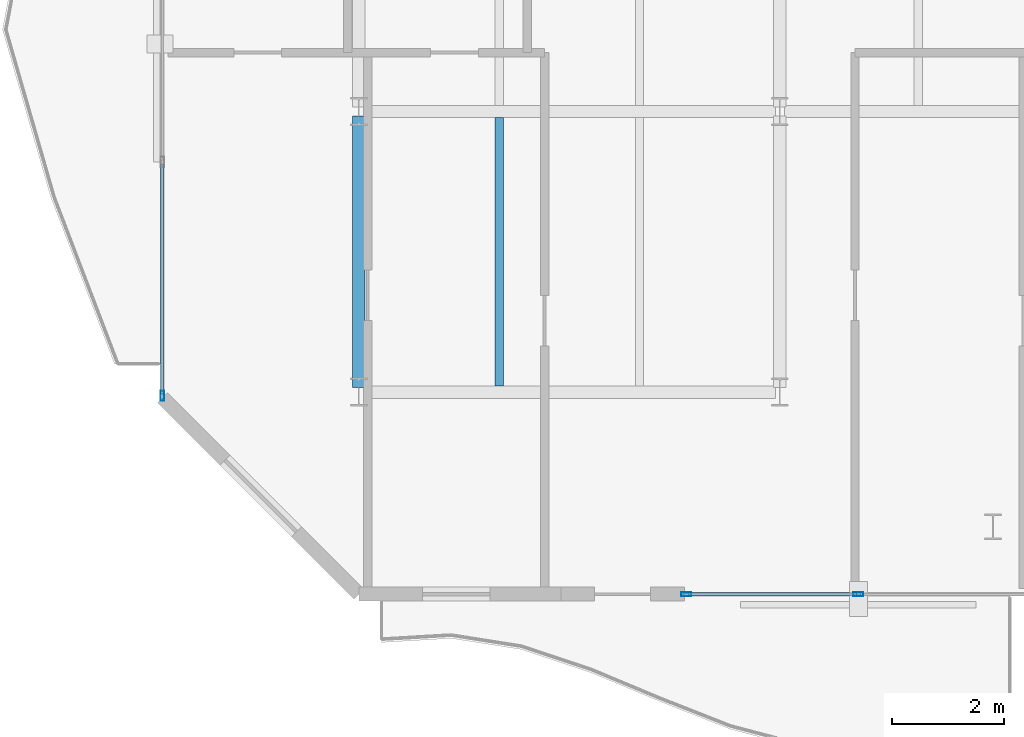
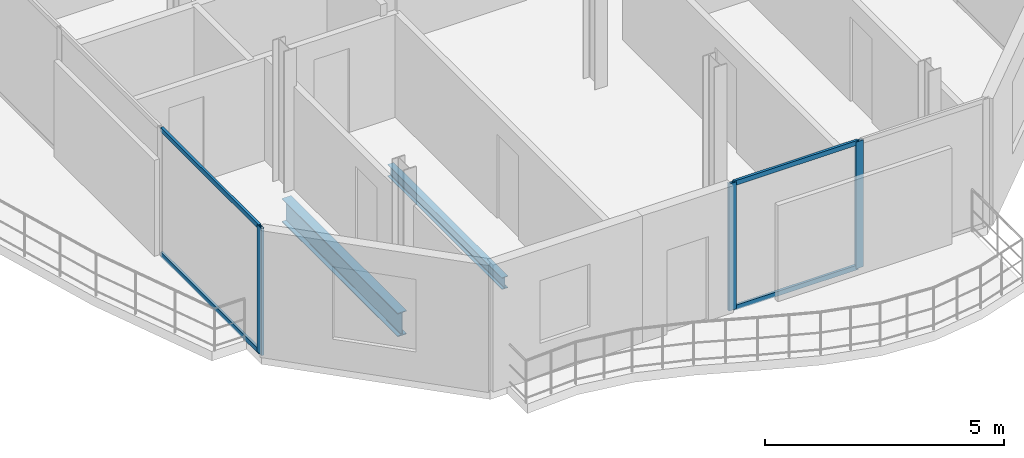
# One storey, part 3 of 23: 7 members, 2 beams, 2 elements without a shape of their own.
"""IFC4 building model written with IfcOpenShell, lengths in metres."""

from ifc_helpers import new_model, si_unit, direction, frame, origin, origin_2d, place, context, subcontext, project, spatial, hollow_rectangle, i_section, extrude, material, layer, layer_set, material_profile, profile_set, type_object, element, aggregate, save


model = new_model("IFC4")

# Units and contexts
model_context = context("Model", 3, precision=1e-05, world=origin(), true_north=direction((0.0, 1.0)))
body_context = subcontext(model_context, "Body", "Model", "MODEL_VIEW")
ifc_project = project(units=[si_unit("LENGTHUNIT", "METRE"), si_unit("AREAUNIT", "SQUARE_METRE"), si_unit("VOLUMEUNIT", "CUBIC_METRE"), si_unit("PLANEANGLEUNIT", "RADIAN"), si_unit("MASSUNIT", "GRAM", prefix="KILO")], contexts=[model_context])

# Site, building, storey
site_placement = place(None, origin())
site = spatial("IfcSite", under=ifc_project, at=site_placement, CompositionType="ELEMENT")
building_placement = place(site_placement, origin())
building = spatial("IfcBuilding", under=site, at=building_placement, Name="Catumbela Crestline Tower", CompositionType="ELEMENT")
storey_placement = place(building_placement, frame((0.0, 0.0, 204.6)))
storey = spatial("IfcBuildingStorey", under=building, at=storey_placement, Name="L53", CompositionType="ELEMENT", Elevation=204.6)

# Beams
ifc_material_1 = material(Name="Structural steel S355J2", Category="steel")
ifc_material_profile_1 = material_profile(ifc_material_1, i_section(OverallWidth=0.22, OverallDepth=0.6, WebThickness=0.012, FlangeThickness=0.019, FilletRadius=0.024, at=origin_2d()), Name="IPE 600")
ifc_profile_set_1 = profile_set([ifc_material_profile_1], Name="Structural steel S355J2")
beam_type_1 = type_object("IfcBeamType", Name="BG-IPE600", PredefinedType="BEAM", material=ifc_profile_set_1)
beam_1_placement = place(storey_placement, frame((8.5, 8.68, -0.56), z_axis=(0.0, 1.0, 0.0), x_axis=(-1.0, 0.0, 0.0)))
element("IfcBeam", 1, at=beam_1_placement, inside=storey, type_object=beam_type_1, Name="L53 Beam BM-L53-WNS37", PredefinedType="BEAM", context=body_context, shape_type="SweptSolid", body=[
    extrude(i_section(OverallWidth=0.22, OverallDepth=0.6, WebThickness=0.012, FlangeThickness=0.019, FilletRadius=0.024, at=origin_2d()), origin(), (0.0, 0.0, 1.0), 4.84),
])
ifc_material_profile_2 = material_profile(ifc_material_1, i_section(OverallWidth=0.15, OverallDepth=0.3, WebThickness=0.0071, FlangeThickness=0.0107, FilletRadius=0.015, at=origin_2d()), Name="IPE 300")
ifc_profile_set_2 = profile_set([ifc_material_profile_2], Name="Structural steel S355J2")
beam_type_2 = type_object("IfcBeamType", Name="BJ-IPE300", PredefinedType="JOIST", material=ifc_profile_set_2)
beam_2_placement = place(storey_placement, frame((11.0, 8.71, -0.41), z_axis=(0.0, 1.0, 0.0), x_axis=(-1.0, 0.0, 0.0)))
element("IfcBeam", 2, at=beam_2_placement, inside=storey, type_object=beam_type_2, Name="L53 Joist JS-L53-WG44", PredefinedType="JOIST", context=body_context, shape_type="SweptSolid", body=[
    extrude(i_section(OverallWidth=0.15, OverallDepth=0.3, WebThickness=0.0071, FlangeThickness=0.0107, FilletRadius=0.015, at=origin_2d()), origin(), (0.0, 0.0, 1.0), 4.78),
])

# Curtain wall, members
ifc_material_2 = material(Name="Aluminium alloy AW-6060-T66", Category="aluminium")
ifc_layer = layer(ifc_material_2, 0.18, Name="Aluminium alloy AW-6060-T66")
ifc_layer_set = layer_set([ifc_layer], Name="Aluminium alloy AW-6060-T66")
curtain_wall_type = type_object("IfcCurtainWallType", Name="CWU-Z3", PredefinedType="USERDEFINED", material=ifc_layer_set)
curtain_wall_1_placement = place(storey_placement, origin())
curtain_wall_1 = element("IfcCurtainWall", 3, at=curtain_wall_1_placement, inside=storey, type_object=curtain_wall_type, Name="L53 Unitised Curtain Wall CW-L53-E0S2", ObjectType="UNITISED", PredefinedType="USERDEFINED")
ifc_material_profile_3 = material_profile(ifc_material_2, hollow_rectangle(XDim=0.065, YDim=0.18, WallThickness=0.004, at=origin_2d()), Name="ALU 180x65x4")
ifc_profile_set_3 = profile_set([ifc_material_profile_3], Name="Aluminium alloy AW-6060-T66")
member_type_1 = type_object("IfcMemberType", Name="MUL-180X65", PredefinedType="MULLION", material=ifc_profile_set_3)
member_1_placement = place(storey_placement, frame((14.3325, 5.0, 0.0), z_axis=(0.0, 0.0, 1.0), x_axis=(0.0, 1.0, 0.0)))
member_1 = element("IfcMember", 4, at=member_1_placement, type_object=member_type_1, Name="CWU-Z3 mullion 1", PredefinedType="MULLION", context=body_context, shape_type="SweptSolid", body=[
    extrude(hollow_rectangle(XDim=0.065, YDim=0.18, WallThickness=0.004, at=origin_2d()), origin(), (0.0, 0.0, 1.0), 3.24),
])
member_2_placement = place(storey_placement, frame((17.4, 5.0, 0.0), z_axis=(0.0, 0.0, 1.0), x_axis=(0.0, 1.0, 0.0)))
member_2 = element("IfcMember", 5, at=member_2_placement, type_object=member_type_1, Name="CWU-Z3 mullion 2", PredefinedType="MULLION", context=body_context, shape_type="SweptSolid", body=[
    extrude(hollow_rectangle(XDim=0.065, YDim=0.18, WallThickness=0.004, at=origin_2d()), origin(), (0.0, 0.0, 1.0), 3.24),
])

# Curtain wall, member
curtain_wall_2_placement = place(storey_placement, origin())
curtain_wall_2 = element("IfcCurtainWall", 6, at=curtain_wall_2_placement, inside=storey, type_object=curtain_wall_type, Name="L53 Unitised Curtain Wall CW-L53-E9S2", ObjectType="UNITISED", PredefinedType="USERDEFINED")
member_3_placement = place(storey_placement, frame((5.0, 8.5325, 0.0), z_axis=(0.0, 0.0, 1.0), x_axis=(1.0, 0.0, 0.0)))
member_3 = element("IfcMember", 7, at=member_3_placement, type_object=member_type_1, Name="CWU-Z3 mullion 7", PredefinedType="MULLION", context=body_context, shape_type="SweptSolid", body=[
    extrude(hollow_rectangle(XDim=0.065, YDim=0.18, WallThickness=0.004, at=origin_2d()), origin(), (0.0, 0.0, 1.0), 3.24),
])

# Member
ifc_material_profile_4 = material_profile(ifc_material_2, hollow_rectangle(XDim=0.06, YDim=0.12, WallThickness=0.0035, at=origin_2d()), Name="ALU 120x60x3.5")
ifc_profile_set_4 = profile_set([ifc_material_profile_4], Name="Aluminium alloy AW-6060-T66")
member_type_2 = type_object("IfcMemberType", Name="TRN-120X60", PredefinedType="USERDEFINED", material=ifc_profile_set_4)
member_4_placement = place(storey_placement, frame((14.365, 5.0, 0.03), z_axis=(1.0, 0.0, 0.0), x_axis=(0.0, 1.0, 0.0)))
member_4 = element("IfcMember", 8, at=member_4_placement, type_object=member_type_2, Name="CWU-Z3 transom 1.1", ObjectType="TRANSOM", PredefinedType="USERDEFINED", context=body_context, shape_type="SweptSolid", body=[
    extrude(hollow_rectangle(XDim=0.06, YDim=0.12, WallThickness=0.0035, at=origin_2d()), origin(), (0.0, 0.0, 1.0), 3.0025),
])

member_5_placement = place(storey_placement, frame((14.365, 5.0, 3.21), z_axis=(1.0, 0.0, 0.0), x_axis=(0.0, 1.0, 0.0)))
member_5 = element("IfcMember", 9, at=member_5_placement, type_object=member_type_2, Name="CWU-Z3 transom 1.2", ObjectType="TRANSOM", PredefinedType="USERDEFINED", context=body_context, shape_type="SweptSolid", body=[
    extrude(hollow_rectangle(XDim=0.06, YDim=0.12, WallThickness=0.0035, at=origin_2d()), origin(), (0.0, 0.0, 1.0), 3.0025),
])

aggregate(curtain_wall_1, [member_1, member_2, member_4, member_5])

member_6_placement = place(storey_placement, frame((5.0, 12.6675, 0.03), z_axis=(0.0, -1.0, 0.0), x_axis=(1.0, 0.0, 0.0)))
member_6 = element("IfcMember", 10, at=member_6_placement, type_object=member_type_2, Name="CWU-Z3 transom 6.1", ObjectType="TRANSOM", PredefinedType="USERDEFINED", context=body_context, shape_type="SweptSolid", body=[
    extrude(hollow_rectangle(XDim=0.06, YDim=0.12, WallThickness=0.0035, at=origin_2d()), origin(), (0.0, 0.0, 1.0), 4.1025),
])

member_7_placement = place(storey_placement, frame((5.0, 12.6675, 3.21), z_axis=(0.0, -1.0, 0.0), x_axis=(1.0, 0.0, 0.0)))
member_7 = element("IfcMember", 11, at=member_7_placement, type_object=member_type_2, Name="CWU-Z3 transom 6.2", ObjectType="TRANSOM", PredefinedType="USERDEFINED", context=body_context, shape_type="SweptSolid", body=[
    extrude(hollow_rectangle(XDim=0.06, YDim=0.12, WallThickness=0.0035, at=origin_2d()), origin(), (0.0, 0.0, 1.0), 4.1025),
])

aggregate(curtain_wall_2, [member_3, member_6, member_7])

save(model, "model.ifc")
